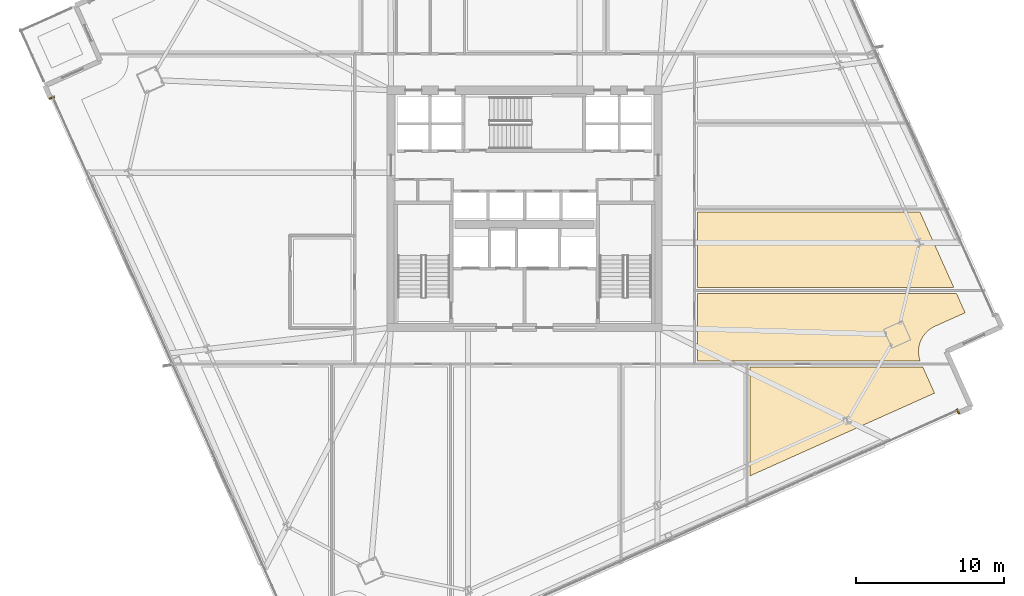
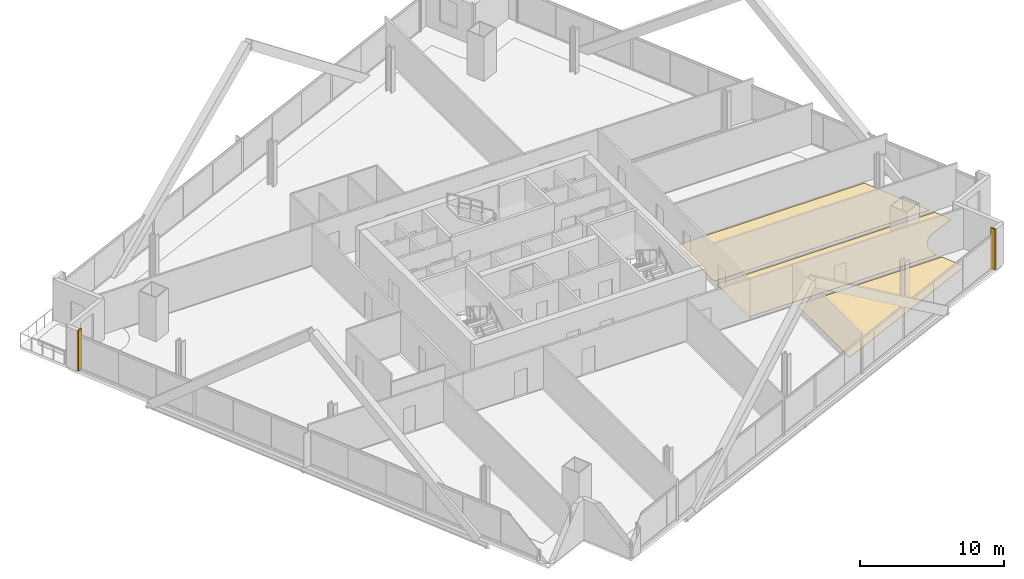
# One storey, part 34 of 38: 5 coverings.
"""IFC4 building model written with IfcOpenShell, lengths in metres."""

from ifc_helpers import new_model, si_unit, direction, frame, origin, origin_2d, place, context, subcontext, project, spatial, polyline, rectangle, outline, extrude, source, transform, mapped, material, layer, layer_set, type_object, element, save


model = new_model("IFC4")

# Units and contexts
model_context = context("Model", 3, precision=1e-05, world=origin(), true_north=direction((0.0, 1.0)))
body_context = subcontext(model_context, "Body", "Model", "MODEL_VIEW")
ifc_project = project(units=[si_unit("LENGTHUNIT", "METRE"), si_unit("AREAUNIT", "SQUARE_METRE"), si_unit("VOLUMEUNIT", "CUBIC_METRE"), si_unit("PLANEANGLEUNIT", "RADIAN"), si_unit("MASSUNIT", "GRAM", prefix="KILO")], contexts=[model_context])

# Site, building, storey
site_placement = place(None, origin())
site = spatial("IfcSite", under=ifc_project, at=site_placement, CompositionType="ELEMENT")
building_placement = place(site_placement, origin())
building = spatial("IfcBuilding", under=site, at=building_placement, Name="Haldenkirk Collegiate Tower", CompositionType="ELEMENT")
storey_placement = place(building_placement, frame((0.0, 0.0, 109.199951171875)))
storey = spatial("IfcBuildingStorey", under=building, at=storey_placement, Name="L26", CompositionType="ELEMENT", Elevation=109.199951171875)

# Coverings
ifc_material_1 = material(Name="Polished collegiate terrazzo", Category="concrete")
ifc_layer_1 = layer(ifc_material_1, 0.02490234375)
ifc_layer_set_1 = layer_set([ifc_layer_1], Name="Polished collegiate terrazzo")
covering_type_1 = type_object("IfcCoveringType", Name="COV-FLOOR-TERRAZZO", PredefinedType="FLOORING", material=ifc_layer_set_1)
covering_1_placement = place(storey_placement, origin())
element("IfcCovering", 1, at=covering_1_placement, inside=storey, type_object=covering_type_1, Name="L26 academic room finish 06", PredefinedType="FLOORING", context=body_context, shape_type="SweptSolid", body=[
    extrude(outline(polyline([(63.626708984375, 13.58642578125), (51.199951171875, 8.0146484375), (51.199951171875, 15.35009765625), (62.8359375, 15.35009765625), (63.626708984375, 13.58642578125)])), origin(), (0.0, 0.0, 1.0), 0.025146484375),
])
covering_2_placement = place(storey_placement, origin())
element("IfcCovering", 2, at=covering_2_placement, inside=storey, type_object=covering_type_1, Name="L26 academic room finish 10", PredefinedType="FLOORING", context=body_context, shape_type="SweptSolid", body=[
    extrude(outline(polyline([(62.663818359375, 15.75), (47.64990234375, 15.75), (47.64990234375, 20.300048828125), (65.10986328125, 20.300048828125), (65.6904296875, 19.0048828125), (63.655517578125, 18.092529296875), (63.650390625, 18.090087890625), (63.497314453125, 18.01220703125), (63.487060546875, 18.00634765625), (63.34228515625, 17.913818359375), (63.332763671875, 17.906982421875), (63.19775390625, 17.80078125), (63.188720703125, 17.793212890625), (63.06494140625, 17.674072265625), (63.056884765625, 17.66552734375), (62.9453125, 17.53515625), (62.93798828125, 17.52587890625), (62.83984375, 17.385009765625), (62.83349609375, 17.375), (62.74951171875, 17.22509765625), (62.744384765625, 17.214599609375), (62.67529296875, 17.057373046875), (62.671142578125, 17.04638671875), (62.617919921875, 16.883056640625), (62.614990234375, 16.87158203125), (62.577880859375, 16.7041015625), (62.575927734375, 16.6923828125), (62.5556640625, 16.521728515625), (62.554931640625, 16.510009765625), (62.551513671875, 16.33837890625), (62.5517578125, 16.326416015625), (62.565185546875, 16.1552734375), (62.566650390625, 16.143798828125), (62.5966796875, 15.974609375), (62.599365234375, 15.963134765625), (62.64599609375, 15.7978515625), (62.649658203125, 15.78662109375), (62.663818359375, 15.75)])), origin(), (0.0, 0.0, 1.0), 0.025146484375),
])
ifc_material_2 = material(Name="Engineered collegiate oak acoustic flooring", Category="wood")
ifc_layer_2 = layer(ifc_material_2, 0.02197265625)
ifc_layer_set_2 = layer_set([ifc_layer_2], Name="Engineered collegiate oak acoustic flooring")
covering_type_2 = type_object("IfcCoveringType", Name="COV-FLOOR-TIMBER", PredefinedType="FLOORING", material=ifc_layer_set_2)
covering_3_placement = place(storey_placement, origin())
element("IfcCovering", 3, at=covering_3_placement, inside=storey, type_object=covering_type_2, Name="L26 academic room finish 11", PredefinedType="FLOORING", context=body_context, shape_type="SweptSolid", body=[
    extrude(outline(polyline([(64.930419921875, 20.699951171875), (47.64990234375, 20.699951171875), (47.64990234375, 25.800048828125), (62.643798828125, 25.800048828125), (64.930419921875, 20.699951171875)])), origin(), (0.0, 0.0, 1.0), 0.02197265625),
])
ifc_material_3 = material(Name="Anodised architectural bronze aluminium", Category="aluminium")
ifc_layer_3 = layer(ifc_material_3, 0.06005859375)
ifc_layer_set_3 = layer_set([ifc_layer_3], Name="Anodised architectural bronze aluminium")
covering_type_3 = type_object("IfcCoveringType", Name="COV-CLAD-BRONZE-60", PredefinedType="CLADDING", material=ifc_layer_set_3)
shared_shape = source(origin(), body_context, "Body", "SweptSolid", [
    extrude(rectangle(XDim=0.10009765625, YDim=0.3798828125, at=origin_2d()), origin(), (0.0, 0.0, 1.0), 3.449951171875),
])
for number, where, z_axis, x_axis, name in (
    (4, (65.212646484375, 12.3466796875, 0.0), (0.0, 0.0, 1.0), (-0.912477494148, -0.409126902895, 0.0), "L26 recessed curtain-wall bronze jamb closure SJL"),
    (5, (4.13720703125, 33.489501953125, 0.0), (0.0, 0.0, 1.0), (-0.409126902895, 0.912477494148, 0.0), "L26 recessed curtain-wall bronze jamb closure WJR"),
):
    element("IfcCovering", number, at=place(storey_placement, frame(where, z_axis=z_axis, x_axis=x_axis)), inside=storey, type_object=covering_type_3, Name=name, PredefinedType="CLADDING", context=body_context, shape_type="MappedRepresentation", body=[
        mapped(shared_shape, transform((0.0, 0.0, 0.0), x_axis=(1.0, 0.0, 0.0), y_axis=(0.0, 1.0, 0.0), z_axis=(0.0, 0.0, 1.0), scale=1.0)),
    ])

save(model, "model.ifc")
